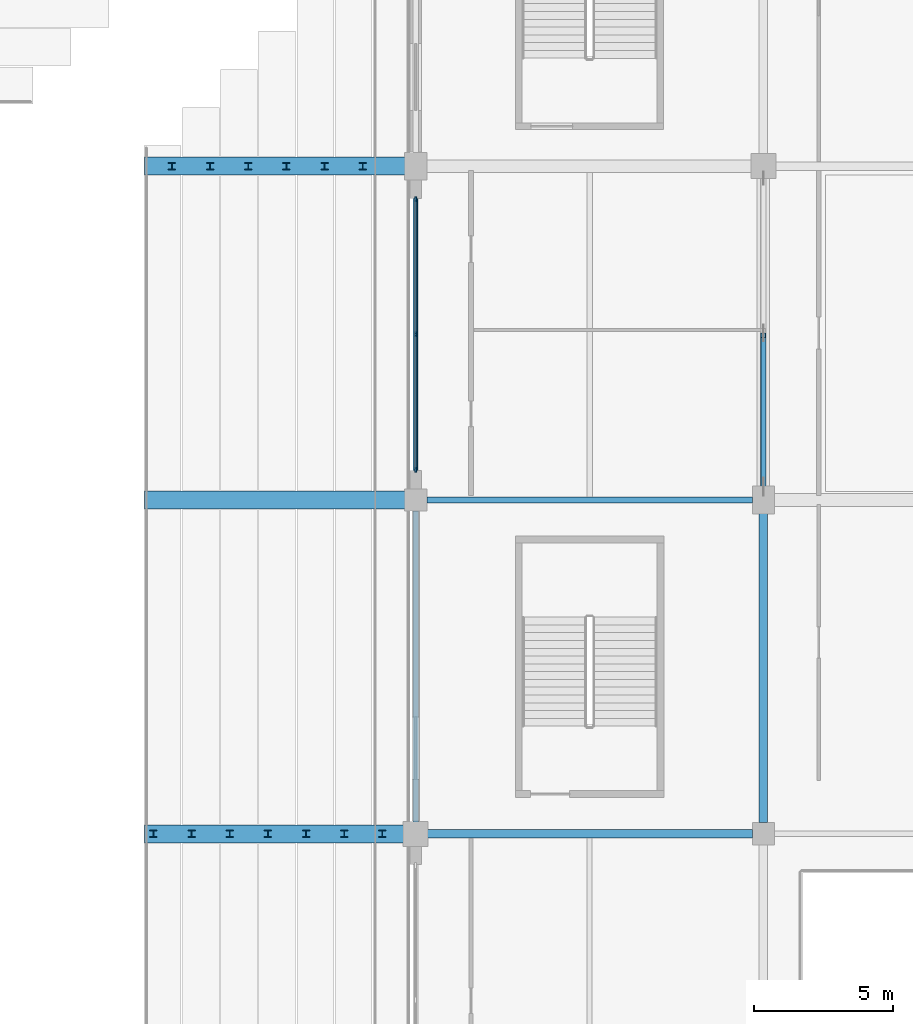
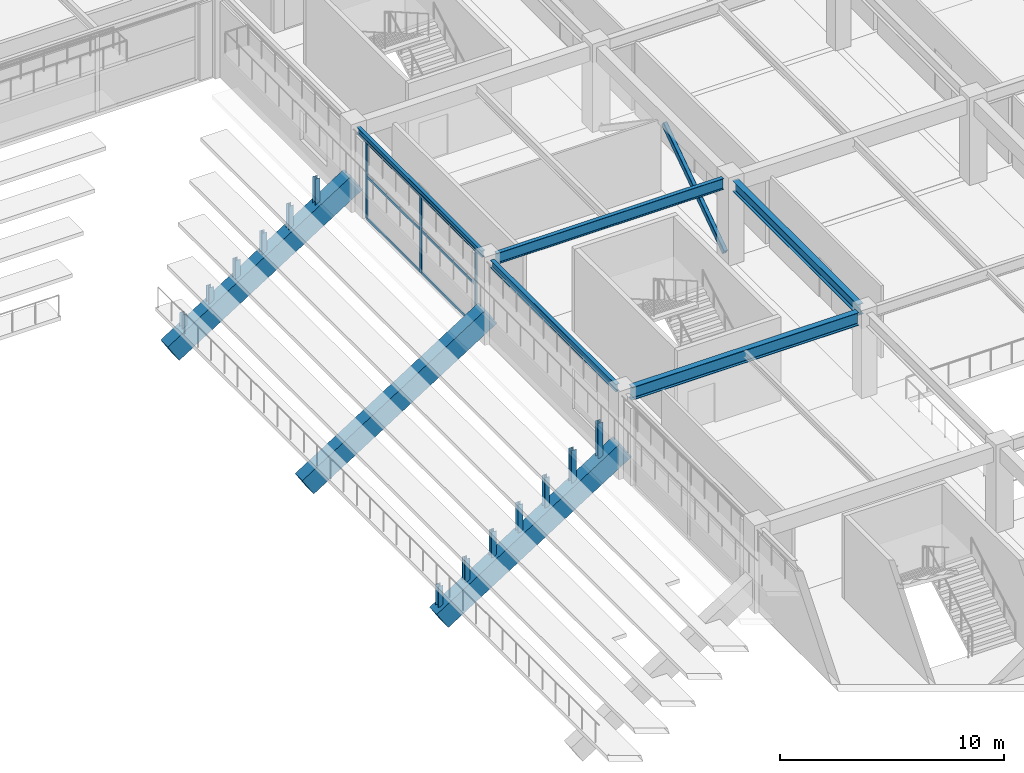
# One storey, part 43 of 134: 23 members, 8 beams, 1 element without a shape of its own.
"""IFC4 building model written with IfcOpenShell, lengths in metres."""

from ifc_helpers import new_model, si_unit, direction, frame, origin, origin_2d, place, context, subcontext, project, spatial, rectangle, hollow_rectangle, i_section, extrude, material, layer, layer_set, material_profile, profile_set, type_object, element, aggregate, save


model = new_model("IFC4")

# Units and contexts
model_context = context("Model", 3, precision=1e-05, world=origin(), true_north=direction((0.0, 1.0)))
body_context = subcontext(model_context, "Body", "Model", "MODEL_VIEW")
ifc_project = project(units=[si_unit("LENGTHUNIT", "METRE"), si_unit("AREAUNIT", "SQUARE_METRE"), si_unit("VOLUMEUNIT", "CUBIC_METRE"), si_unit("PLANEANGLEUNIT", "RADIAN"), si_unit("MASSUNIT", "GRAM", prefix="KILO")], contexts=[model_context])

# Site, building, storey
site_placement = place(None, origin())
site = spatial("IfcSite", under=ifc_project, at=site_placement, CompositionType="ELEMENT")
building_placement = place(site_placement, origin())
building = spatial("IfcBuilding", under=site, at=building_placement, Name="Kazenohara Klinker Stadium", CompositionType="ELEMENT")
storey_placement = place(building_placement, frame((0.0, 0.0, 5.39990234375)))
storey = spatial("IfcBuildingStorey", under=building, at=storey_placement, Name="L01", CompositionType="ELEMENT", Elevation=5.39990234375)

# Beams
ifc_material_1 = material(Name="Steel S355", Category="steel")
ifc_material_profile_1 = material_profile(ifc_material_1, i_section(OverallWidth=0.199951171875, OverallDepth=0.39990234375, WebThickness=0.008056640625, FlangeThickness=0.012939453125, FilletRadius=0.012939453125, at=origin_2d()), Name="H-400x200x8x13")
ifc_profile_set_1 = profile_set([ifc_material_profile_1], Name="Steel S355")
beam_type_1 = type_object("IfcBeamType", Name="BM-SPD01", PredefinedType="SPANDREL", material=ifc_profile_set_1)
beam_1_placement = place(storey_placement, frame((175.0, 96.419921875, 4.35009765625), z_axis=(0.0, 1.0, 0.0), x_axis=(-1.0, 0.0, 0.0)))
element("IfcBeam", 1, at=beam_1_placement, inside=storey, type_object=beam_type_1, Name="Primary girder SP01 L01 15/J-K", PredefinedType="SPANDREL", context=body_context, shape_type="SweptSolid", body=[
    extrude(i_section(OverallWidth=0.199951171875, OverallDepth=0.39990234375, WebThickness=0.008056640625, FlangeThickness=0.012939453125, FilletRadius=0.012939453125, at=origin_2d()), origin(), (0.0, 0.0, 1.0), 11.18017578125),
])
ifc_material_profile_2 = material_profile(ifc_material_1, i_section(OverallWidth=0.175048828125, OverallDepth=0.35009765625, WebThickness=0.007080078125, FlangeThickness=0.010986328125, FilletRadius=0.012939453125, at=origin_2d()), Name="H-350x175x7x11")
ifc_profile_set_2 = profile_set([ifc_material_profile_2], Name="Steel S355")
beam_type_2 = type_object("IfcBeamType", Name="BM-SPD02", PredefinedType="SPANDREL", material=ifc_profile_set_2)
beam_2_placement = place(storey_placement, frame((175.0, 108.39990234375, 4.375), z_axis=(0.0, 1.0, 0.0), x_axis=(-1.0, 0.0, 0.0)))
element("IfcBeam", 2, at=beam_2_placement, inside=storey, type_object=beam_type_2, Name="Primary girder SP02 L01 15/K-L", PredefinedType="SPANDREL", context=body_context, shape_type="SweptSolid", body=[
    extrude(i_section(OverallWidth=0.175048828125, OverallDepth=0.35009765625, WebThickness=0.007080078125, FlangeThickness=0.010986328125, FilletRadius=0.012939453125, at=origin_2d()), origin(), (0.0, 0.0, 1.0), 11.18017578125),
])
ifc_material_profile_3 = material_profile(ifc_material_1, i_section(OverallWidth=0.300048828125, OverallDepth=0.699951171875, WebThickness=0.012939453125, FlangeThickness=0.02392578125, FilletRadius=0.02197265625, at=origin_2d()), Name="H-700x300x13x24")
ifc_profile_set_3 = profile_set([ifc_material_profile_3], Name="Steel S355")
beam_type_3 = type_object("IfcBeamType", Name="BM-ST03", PredefinedType="BEAM", material=ifc_profile_set_3)
beam_3_placement = place(storey_placement, frame((175.419921875, 96.0, 4.2001953125), z_axis=(1.0, 0.0, 0.0), x_axis=(0.0, 1.0, 0.0)))
element("IfcBeam", 3, at=beam_3_placement, inside=storey, type_object=beam_type_3, Name="Primary girder SB03 L01 15-16/J", PredefinedType="BEAM", context=body_context, shape_type="SweptSolid", body=[
    extrude(i_section(OverallWidth=0.300048828125, OverallDepth=0.699951171875, WebThickness=0.012939453125, FlangeThickness=0.02392578125, FilletRadius=0.02197265625, at=origin_2d()), origin(), (0.0, 0.0, 1.0), 11.68017578125),
])
ifc_material_profile_4 = material_profile(ifc_material_1, i_section(OverallWidth=0.199951171875, OverallDepth=0.60009765625, WebThickness=0.010986328125, FlangeThickness=0.01708984375, FilletRadius=0.012939453125, at=origin_2d()), Name="H-600x200x11x17")
ifc_profile_set_4 = profile_set([ifc_material_profile_4], Name="Steel S355")
beam_type_4 = type_object("IfcBeamType", Name="BM-ST04", PredefinedType="BEAM", material=ifc_profile_set_4)
beam_4_placement = place(storey_placement, frame((175.39990234375, 108.0, 4.25), z_axis=(1.0, 0.0, 0.0), x_axis=(0.0, 1.0, 0.0)))
element("IfcBeam", 4, at=beam_4_placement, inside=storey, type_object=beam_type_4, Name="Primary girder SB04 L01 15-16/K", PredefinedType="BEAM", context=body_context, shape_type="SweptSolid", body=[
    extrude(i_section(OverallWidth=0.199951171875, OverallDepth=0.60009765625, WebThickness=0.010986328125, FlangeThickness=0.01708984375, FilletRadius=0.012939453125, at=origin_2d()), origin(), (0.0, 0.0, 1.0), 11.7001953125),
])
ifc_material_profile_5 = material_profile(ifc_material_1, i_section(OverallWidth=0.300048828125, OverallDepth=0.587890625, WebThickness=0.011962890625, FlangeThickness=0.02001953125, FilletRadius=0.02197265625, at=origin_2d()), Name="H-588x300x12x20")
ifc_profile_set_5 = profile_set([ifc_material_profile_5], Name="Steel S355")
beam_type_5 = type_object("IfcBeamType", Name="BM-ST05", PredefinedType="BEAM", material=ifc_profile_set_5)
beam_5_placement = place(storey_placement, frame((187.5, 96.39990234375, 4.256103515625), z_axis=(0.0, 1.0, 0.0), x_axis=(-1.0, 0.0, 0.0)))
element("IfcBeam", 5, at=beam_5_placement, inside=storey, type_object=beam_type_5, Name="Primary girder SB05 L01 16/J-K", PredefinedType="BEAM", context=body_context, shape_type="SweptSolid", body=[
    extrude(i_section(OverallWidth=0.300048828125, OverallDepth=0.587890625, WebThickness=0.011962890625, FlangeThickness=0.02001953125, FilletRadius=0.02197265625, at=origin_2d()), origin(), (0.0, 0.0, 1.0), 11.18017578125),
])

# Curtain wall, members
ifc_material_2 = material(Name="Anodised aluminium and triple glazing", Category="aluminium")
ifc_layer = layer(ifc_material_2, 0.179931640625)
ifc_layer_set = layer_set([ifc_layer], Name="Anodised aluminium and triple glazing")
curtain_wall_type = type_object("IfcCurtainWallType", Name="CW-SYS-02", PredefinedType="USERDEFINED", material=ifc_layer_set)
curtain_wall_placement = place(storey_placement, origin())
curtain_wall = element("IfcCurtainWall", 6, at=curtain_wall_placement, inside=storey, type_object=curtain_wall_type, Name="Unitised facade curtain wall CW02 L01 Y14-9", ObjectType="UNITISED CURTAIN WALL", PredefinedType="USERDEFINED")
ifc_material_3 = material(Name="Anodised aluminium 6063-T6", Category="aluminium")
ifc_material_profile_6 = material_profile(ifc_material_3, rectangle(XDim=0.06494140625, YDim=0.179931640625, at=origin_2d()), Name="ALU-MUL-65x180")
ifc_profile_set_6 = profile_set([ifc_material_profile_6], Name="Anodised aluminium 6063-T6")
member_type_1 = type_object("IfcMemberType", Name="CW-MUL-180", PredefinedType="MULLION", material=ifc_profile_set_6)
member_1_placement = place(storey_placement, frame((175.0, 109.08642578125, 0.0), z_axis=(0.0, 0.0, 1.0), x_axis=(-1.0, 0.0, 0.0)))
member_1 = element("IfcMember", 7, at=member_1_placement, type_object=member_type_1, Name="CW02 mullion 1", PredefinedType="MULLION", context=body_context, shape_type="SweptSolid", body=[
    extrude(rectangle(XDim=0.06494140625, YDim=0.179931640625, at=origin_2d()), origin(), (0.0, 0.0, 1.0), 4.2001953125),
])
member_2_placement = place(storey_placement, frame((175.0, 113.949951171875, 0.0), z_axis=(0.0, 0.0, 1.0), x_axis=(-1.0, 0.0, 0.0)))
member_2 = element("IfcMember", 8, at=member_2_placement, type_object=member_type_1, Name="CW02 mullion 2", PredefinedType="MULLION", context=body_context, shape_type="SweptSolid", body=[
    extrude(rectangle(XDim=0.06494140625, YDim=0.179931640625, at=origin_2d()), origin(), (0.0, 0.0, 1.0), 4.2001953125),
])
member_3_placement = place(storey_placement, frame((175.0, 118.8134765625, 0.0), z_axis=(0.0, 0.0, 1.0), x_axis=(-1.0, 0.0, 0.0)))
member_3 = element("IfcMember", 9, at=member_3_placement, type_object=member_type_1, Name="CW02 mullion 3", PredefinedType="MULLION", context=body_context, shape_type="SweptSolid", body=[
    extrude(rectangle(XDim=0.06494140625, YDim=0.179931640625, at=origin_2d()), origin(), (0.0, 0.0, 1.0), 4.2001953125),
])
ifc_material_profile_7 = material_profile(ifc_material_3, rectangle(XDim=0.06494140625, YDim=0.139892578125, at=origin_2d()), Name="ALU-TRN-65x140")
ifc_profile_set_7 = profile_set([ifc_material_profile_7], Name="Anodised aluminium 6063-T6")
member_type_2 = type_object("IfcMemberType", Name="CW-TRN-140", PredefinedType="USERDEFINED", material=ifc_profile_set_7)
member_4_placement = place(storey_placement, frame((175.0, 109.118896484375, 0.03271484375), z_axis=(0.0, 1.0, 0.0), x_axis=(-1.0, 0.0, 0.0)))
member_4 = element("IfcMember", 10, at=member_4_placement, type_object=member_type_2, Name="CW02 transom 1.1", ObjectType="TRANSOM", PredefinedType="USERDEFINED", context=body_context, shape_type="SweptSolid", body=[
    extrude(rectangle(XDim=0.06494140625, YDim=0.139892578125, at=origin_2d()), origin(), (0.0, 0.0, 1.0), 4.798583984375),
])
member_5_placement = place(storey_placement, frame((175.0, 109.118896484375, 2.31005859375), z_axis=(0.0, 1.0, 0.0), x_axis=(-1.0, 0.0, 0.0)))
member_5 = element("IfcMember", 11, at=member_5_placement, type_object=member_type_2, Name="CW02 transom 1.2", ObjectType="TRANSOM", PredefinedType="USERDEFINED", context=body_context, shape_type="SweptSolid", body=[
    extrude(rectangle(XDim=0.06494140625, YDim=0.139892578125, at=origin_2d()), origin(), (0.0, 0.0, 1.0), 4.798583984375),
])
member_6_placement = place(storey_placement, frame((175.0, 109.118896484375, 4.16748046875), z_axis=(0.0, 1.0, 0.0), x_axis=(-1.0, 0.0, 0.0)))
member_6 = element("IfcMember", 12, at=member_6_placement, type_object=member_type_2, Name="CW02 transom 1.3", ObjectType="TRANSOM", PredefinedType="USERDEFINED", context=body_context, shape_type="SweptSolid", body=[
    extrude(rectangle(XDim=0.06494140625, YDim=0.139892578125, at=origin_2d()), origin(), (0.0, 0.0, 1.0), 4.798583984375),
])
member_7_placement = place(storey_placement, frame((175.0, 113.982421875, 0.03271484375), z_axis=(0.0, 1.0, 0.0), x_axis=(-1.0, 0.0, 0.0)))
member_7 = element("IfcMember", 13, at=member_7_placement, type_object=member_type_2, Name="CW02 transom 2.1", ObjectType="TRANSOM", PredefinedType="USERDEFINED", context=body_context, shape_type="SweptSolid", body=[
    extrude(rectangle(XDim=0.06494140625, YDim=0.139892578125, at=origin_2d()), origin(), (0.0, 0.0, 1.0), 4.798583984375),
])
member_8_placement = place(storey_placement, frame((175.0, 113.982421875, 2.31005859375), z_axis=(0.0, 1.0, 0.0), x_axis=(-1.0, 0.0, 0.0)))
member_8 = element("IfcMember", 14, at=member_8_placement, type_object=member_type_2, Name="CW02 transom 2.2", ObjectType="TRANSOM", PredefinedType="USERDEFINED", context=body_context, shape_type="SweptSolid", body=[
    extrude(rectangle(XDim=0.06494140625, YDim=0.139892578125, at=origin_2d()), origin(), (0.0, 0.0, 1.0), 4.798583984375),
])
member_9_placement = place(storey_placement, frame((175.0, 113.982421875, 4.16748046875), z_axis=(0.0, 1.0, 0.0), x_axis=(-1.0, 0.0, 0.0)))
member_9 = element("IfcMember", 15, at=member_9_placement, type_object=member_type_2, Name="CW02 transom 2.3", ObjectType="TRANSOM", PredefinedType="USERDEFINED", context=body_context, shape_type="SweptSolid", body=[
    extrude(rectangle(XDim=0.06494140625, YDim=0.139892578125, at=origin_2d()), origin(), (0.0, 0.0, 1.0), 4.798583984375),
])
aggregate(curtain_wall, [member_1, member_2, member_3, member_4, member_5, member_6, member_7, member_8, member_9])

# Members
ifc_material_profile_8 = material_profile(ifc_material_1, hollow_rectangle(XDim=0.199951171875, YDim=0.300048828125, WallThickness=0.011962890625, InnerFilletRadius=0.011962890625, OuterFilletRadius=0.02392578125, at=origin_2d()), Name="RHS-300x200x12")
ifc_profile_set_8 = profile_set([ifc_material_profile_8], Name="Steel S355")
member_type_3 = type_object("IfcMemberType", Name="MEM-BRC08", PredefinedType="BRACE", material=ifc_profile_set_8)
member_10_placement = place(storey_placement, frame((187.5, 108.47998046875, 0.050048828125), z_axis=(0.0, 0.825455346311, 0.564467422662), x_axis=(-1.0, 0.0, 0.0)))
element("IfcMember", 16, at=member_10_placement, inside=storey, type_object=member_type_3, Name="Concentric brace BR08 L01 16/K A", PredefinedType="BRACE", context=body_context, shape_type="SweptSolid", body=[
    extrude(hollow_rectangle(XDim=0.199951171875, YDim=0.300048828125, WallThickness=0.011962890625, InnerFilletRadius=0.011962890625, OuterFilletRadius=0.02392578125, at=origin_2d()), origin(), (0.0, 0.0, 1.0), 6.59033203125),
])
ifc_material_profile_9 = material_profile(ifc_material_1, i_section(OverallWidth=0.25, OverallDepth=0.25, WebThickness=0.009033203125, FlangeThickness=0.013916015625, FilletRadius=0.012939453125, at=origin_2d()), Name="H-250x250x9x14")
ifc_profile_set_9 = profile_set([ifc_material_profile_9], Name="Steel S355")
member_type_4 = type_object("IfcMemberType", Name="MEM-STR02", PredefinedType="STRUT", material=ifc_profile_set_9)
member_11_placement = place(storey_placement, frame((173.801513671875, 96.0, 1.2783203125), z_axis=(0.0, 0.0, 1.0), x_axis=(1.0, 0.0, 0.0)))
element("IfcMember", 17, at=member_11_placement, inside=storey, type_object=member_type_4, Name="Precast tier riser stool LOWER-E-01-08", PredefinedType="STRUT", context=body_context, shape_type="SweptSolid", body=[
    extrude(i_section(OverallWidth=0.25, OverallDepth=0.25, WebThickness=0.009033203125, FlangeThickness=0.013916015625, FilletRadius=0.012939453125, at=origin_2d()), origin(), (0.0, 0.0, 1.0), 1.911865234375),
])
for number, where, z_axis, x_axis, name in (
    (18, (172.429931640625, 96.0, 0.407470703125), (0.0, 0.0, 1.0), (1.0, 0.0, 0.0), "Precast tier riser stool LOWER-E-02-08"),
    (19, (173.095703125, 120.0, 0.407470703125), (0.0, 0.0, 1.0), (1.0, 0.0, 0.0), "Precast tier riser stool LOWER-E-02-10"),
):
    element("IfcMember", number, at=place(storey_placement, frame(where, z_axis=z_axis, x_axis=x_axis)), inside=storey, type_object=member_type_4, Name=name, PredefinedType="STRUT", context=body_context, shape_type="SweptSolid", body=[
        extrude(i_section(OverallWidth=0.25, OverallDepth=0.25, WebThickness=0.009033203125, FlangeThickness=0.013916015625, FilletRadius=0.012939453125, at=origin_2d()), origin(), (0.0, 0.0, 1.0), 1.78271484375),
    ])
for number, where, z_axis, x_axis, name in (
    (20, (171.05859375, 96.0, -0.463134765625), (0.0, 0.0, 1.0), (1.0, 0.0, 0.0), "Precast tier riser stool LOWER-E-03-08"),
    (21, (171.724365234375, 120.0, -0.463134765625), (0.0, 0.0, 1.0), (1.0, 0.0, 0.0), "Precast tier riser stool LOWER-E-03-10"),
):
    element("IfcMember", number, at=place(storey_placement, frame(where, z_axis=z_axis, x_axis=x_axis)), inside=storey, type_object=member_type_4, Name=name, PredefinedType="STRUT", context=body_context, shape_type="SweptSolid", body=[
        extrude(i_section(OverallWidth=0.25, OverallDepth=0.25, WebThickness=0.009033203125, FlangeThickness=0.013916015625, FilletRadius=0.012939453125, at=origin_2d()), origin(), (0.0, 0.0, 1.0), 1.6533203125),
    ])
for number, where, z_axis, x_axis, name in (
    (22, (169.68701171875, 96.0, -1.333984375), (0.0, 0.0, 1.0), (1.0, 0.0, 0.0), "Precast tier riser stool LOWER-E-04-08"),
    (23, (170.352783203125, 120.0, -1.333984375), (0.0, 0.0, 1.0), (1.0, 0.0, 0.0), "Precast tier riser stool LOWER-E-04-10"),
):
    element("IfcMember", number, at=place(storey_placement, frame(where, z_axis=z_axis, x_axis=x_axis)), inside=storey, type_object=member_type_4, Name=name, PredefinedType="STRUT", context=body_context, shape_type="SweptSolid", body=[
        extrude(i_section(OverallWidth=0.25, OverallDepth=0.25, WebThickness=0.009033203125, FlangeThickness=0.013916015625, FilletRadius=0.012939453125, at=origin_2d()), origin(), (0.0, 0.0, 1.0), 1.524169921875),
    ])
for number, where, z_axis, x_axis, name in (
    (24, (168.315673828125, 96.0, -2.20458984375), (0.0, 0.0, 1.0), (1.0, 0.0, 0.0), "Precast tier riser stool LOWER-E-05-08"),
    (25, (168.9814453125, 120.0, -2.20458984375), (0.0, 0.0, 1.0), (1.0, 0.0, 0.0), "Precast tier riser stool LOWER-E-05-10"),
):
    element("IfcMember", number, at=place(storey_placement, frame(where, z_axis=z_axis, x_axis=x_axis)), inside=storey, type_object=member_type_4, Name=name, PredefinedType="STRUT", context=body_context, shape_type="SweptSolid", body=[
        extrude(i_section(OverallWidth=0.25, OverallDepth=0.25, WebThickness=0.009033203125, FlangeThickness=0.013916015625, FilletRadius=0.012939453125, at=origin_2d()), origin(), (0.0, 0.0, 1.0), 1.394775390625),
    ])
for number, where, z_axis, x_axis, name in (
    (26, (166.9443359375, 96.0, -3.075439453125), (0.0, 0.0, 1.0), (1.0, 0.0, 0.0), "Precast tier riser stool LOWER-E-06-08"),
    (27, (167.610107421875, 120.0, -3.075439453125), (0.0, 0.0, 1.0), (1.0, 0.0, 0.0), "Precast tier riser stool LOWER-E-06-10"),
):
    element("IfcMember", number, at=place(storey_placement, frame(where, z_axis=z_axis, x_axis=x_axis)), inside=storey, type_object=member_type_4, Name=name, PredefinedType="STRUT", context=body_context, shape_type="SweptSolid", body=[
        extrude(i_section(OverallWidth=0.25, OverallDepth=0.25, WebThickness=0.009033203125, FlangeThickness=0.013916015625, FilletRadius=0.012939453125, at=origin_2d()), origin(), (0.0, 0.0, 1.0), 1.265625),
    ])
for number, where, z_axis, x_axis, name in (
    (28, (165.572998046875, 96.0, -3.9462890625), (0.0, 0.0, 1.0), (1.0, 0.0, 0.0), "Precast tier riser stool LOWER-E-07-08"),
    (29, (166.238525390625, 120.0, -3.9462890625), (0.0, 0.0, 1.0), (1.0, 0.0, 0.0), "Precast tier riser stool LOWER-E-07-10"),
):
    element("IfcMember", number, at=place(storey_placement, frame(where, z_axis=z_axis, x_axis=x_axis)), inside=storey, type_object=member_type_4, Name=name, PredefinedType="STRUT", context=body_context, shape_type="SweptSolid", body=[
        extrude(i_section(OverallWidth=0.25, OverallDepth=0.25, WebThickness=0.009033203125, FlangeThickness=0.013916015625, FilletRadius=0.012939453125, at=origin_2d()), origin(), (0.0, 0.0, 1.0), 1.136474609375),
    ])

# Beams
ifc_material_4 = material(Name="Precast concrete C50/60", Category="concrete")
ifc_material_profile_10 = material_profile(ifc_material_4, rectangle(XDim=0.64990234375, YDim=1.10009765625, at=origin_2d()), Name="PC-RAKER-650x1100")
ifc_profile_set_10 = profile_set([ifc_material_profile_10], Name="Precast concrete C50/60")
beam_type_6 = type_object("IfcBeamType", Name="RAKER-RK01", PredefinedType="USERDEFINED", material=ifc_profile_set_10)
for number, where, z_axis, x_axis, name in (
    (30, (175.0, 96.0, 1.401611328125), (-0.844211562005, 0.0, -0.536010110518), (0.0, -1.0, 0.0), "Precast bowl raker girder RK01 LOWER East J"),
    (31, (175.0, 108.0, 1.401611328125), (-0.844211562005, 0.0, -0.536010110518), (0.0, -1.0, 0.0), "Precast bowl raker girder RK01 LOWER East K"),
    (32, (175.0, 120.0, 1.401611328125), (-0.844211562005, 0.0, -0.536010110518), (0.0, -1.0, 0.0), "Precast bowl raker girder RK01 LOWER East L"),
):
    element("IfcBeam", number, at=place(storey_placement, frame(where, z_axis=z_axis, x_axis=x_axis)), inside=storey, type_object=beam_type_6, Name=name, ObjectType="RAKER", PredefinedType="USERDEFINED", context=body_context, shape_type="SweptSolid", body=[
        extrude(rectangle(XDim=0.64990234375, YDim=1.10009765625, at=origin_2d()), origin(), (0.0, 0.0, 1.0), 11.19384765625),
    ])

save(model, "model.ifc")
